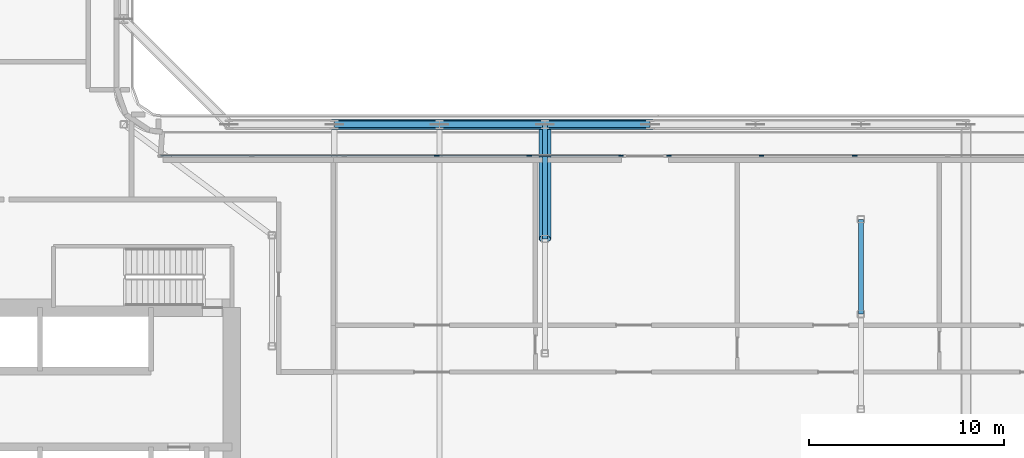
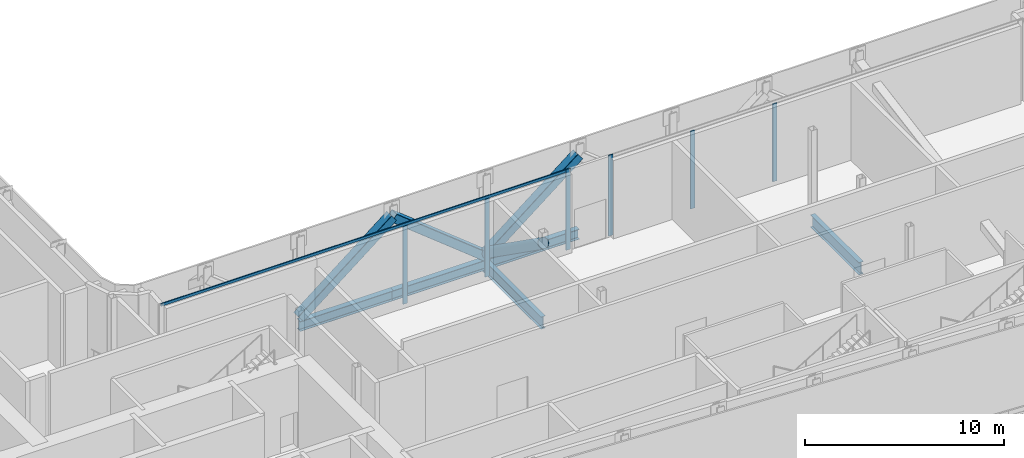
# One storey, part 7 of 30: 11 members, 5 beams, 2 elements without a shape of their own.
"""IFC4 building model written with IfcOpenShell, lengths in metres."""

from ifc_helpers import new_model, si_unit, direction, frame, origin, origin_2d, place, context, subcontext, project, spatial, rectangle, hollow_rectangle, hollow_circle, i_section, extrude, material, layer, layer_set, material_profile, profile_set, type_object, element, aggregate, save


model = new_model("IFC4")

# Units and contexts
model_context = context("Model", 3, precision=1e-05, world=origin(), true_north=direction((0.0, 1.0)))
body_context = subcontext(model_context, "Body", "Model", "MODEL_VIEW")
ifc_project = project(units=[si_unit("LENGTHUNIT", "METRE"), si_unit("AREAUNIT", "SQUARE_METRE"), si_unit("VOLUMEUNIT", "CUBIC_METRE"), si_unit("PLANEANGLEUNIT", "RADIAN"), si_unit("MASSUNIT", "GRAM", prefix="KILO")], contexts=[model_context])

# Site, building, storey
site_placement = place(None, origin())
site = spatial("IfcSite", under=ifc_project, at=site_placement, CompositionType="ELEMENT")
building_placement = place(site_placement, origin())
building = spatial("IfcBuilding", under=site, at=building_placement, Name="Kheshtan School and Residences Tower", CompositionType="ELEMENT")
storey_placement = place(building_placement, frame((0.0, 0.0, 89.0)))
storey = spatial("IfcBuildingStorey", under=building, at=storey_placement, Name="L20", CompositionType="ELEMENT", Elevation=89.0)

# Beams
ifc_material_1 = material(Name="Steel ASTM A992 Grade 50", Category="steel")
ifc_material_profile_1 = material_profile(ifc_material_1, i_section(OverallWidth=0.264892578125, OverallDepth=0.7529296875, WebThickness=0.01318359375, FlangeThickness=0.01708984375, FilletRadius=0.015380859375, at=origin_2d()), Name="W760x147")
ifc_profile_set_1 = profile_set([ifc_material_profile_1], Name="Steel ASTM A992 Grade 50")
beam_type_1 = type_object("IfcBeamType", Name="Beam FB7 W760x147 ASTM A992 Grade 50", PredefinedType="BEAM", material=ifc_profile_set_1)
beam_1_placement = place(storey_placement, frame((69.199951171875, 45.60009765625, -0.526611328125), z_axis=(0.0, -1.0, 0.0), x_axis=(1.0, 0.0, 0.0)))
element("IfcBeam", 1, at=beam_1_placement, inside=storey, type_object=beam_type_1, Name="Floor beam C064", PredefinedType="BEAM", context=body_context, shape_type="SweptSolid", body=[
    extrude(i_section(OverallWidth=0.264892578125, OverallDepth=0.7529296875, WebThickness=0.01318359375, FlangeThickness=0.01708984375, FilletRadius=0.015380859375, at=origin_2d()), origin(), (0.0, 0.0, 1.0), 5.8681640625),
])
beam_2_placement = place(storey_placement, frame((85.39990234375, 40.735107421875, -0.526611328125), z_axis=(0.0, -1.0, 0.0), x_axis=(1.0, 0.0, 0.0)))
element("IfcBeam", 2, at=beam_2_placement, inside=storey, type_object=beam_type_1, Name="Floor beam IC", PredefinedType="BEAM", context=body_context, shape_type="SweptSolid", body=[
    extrude(i_section(OverallWidth=0.264892578125, OverallDepth=0.7529296875, WebThickness=0.01318359375, FlangeThickness=0.01708984375, FilletRadius=0.015380859375, at=origin_2d()), origin(), (0.0, 0.0, 1.0), 4.864990234375),
])
ifc_material_profile_2 = material_profile(ifc_material_1, i_section(OverallWidth=0.324951171875, OverallDepth=0.615966796875, WebThickness=0.013916015625, FlangeThickness=0.021484375, FilletRadius=0.0185546875, at=origin_2d()), Name="W610x174")
ifc_profile_set_2 = profile_set([ifc_material_profile_2], Name="Steel ASTM A992 Grade 50")
beam_type_2 = type_object("IfcBeamType", Name="Beam SP5 W610x174 ASTM A992 Grade 50", PredefinedType="BEAM", material=ifc_profile_set_2)
beam_3_placement = place(storey_placement, frame((58.39990234375, 45.60009765625, -0.4580078125), z_axis=(1.0, 0.0, 0.0), x_axis=(0.0, 1.0, 0.0)))
element("IfcBeam", 3, at=beam_3_placement, inside=storey, type_object=beam_type_2, Name="Spandrel beam C062-C063", PredefinedType="BEAM", context=body_context, shape_type="SweptSolid", body=[
    extrude(i_section(OverallWidth=0.324951171875, OverallDepth=0.615966796875, WebThickness=0.013916015625, FlangeThickness=0.021484375, FilletRadius=0.0185546875, at=origin_2d()), origin(), (0.0, 0.0, 1.0), 5.400146484375),
])
beam_4_placement = place(storey_placement, frame((63.800048828125, 45.60009765625, -0.4580078125), z_axis=(1.0, 0.0, 0.0), x_axis=(0.0, 1.0, 0.0)))
element("IfcBeam", 4, at=beam_4_placement, inside=storey, type_object=beam_type_2, Name="Spandrel beam C063-C064", PredefinedType="BEAM", context=body_context, shape_type="SweptSolid", body=[
    extrude(i_section(OverallWidth=0.324951171875, OverallDepth=0.615966796875, WebThickness=0.013916015625, FlangeThickness=0.021484375, FilletRadius=0.0185546875, at=origin_2d()), origin(), (0.0, 0.0, 1.0), 5.39990234375),
])
beam_5_placement = place(storey_placement, frame((69.199951171875, 45.60009765625, -0.4580078125), z_axis=(1.0, 0.0, 0.0), x_axis=(0.0, 1.0, 0.0)))
element("IfcBeam", 5, at=beam_5_placement, inside=storey, type_object=beam_type_2, Name="Spandrel beam C064-C065", PredefinedType="BEAM", context=body_context, shape_type="SweptSolid", body=[
    extrude(i_section(OverallWidth=0.324951171875, OverallDepth=0.615966796875, WebThickness=0.013916015625, FlangeThickness=0.021484375, FilletRadius=0.0185546875, at=origin_2d()), origin(), (0.0, 0.0, 1.0), 5.400146484375),
])

# Curtain wall, members
ifc_material_2 = material(Name="Clear low-e glass in thermally broken aluminium frame", Category="aluminium")
ifc_layer = layer(ifc_material_2, 0.25)
ifc_layer_set = layer_set([ifc_layer], Name="Curtain wall CW-G")
curtain_wall_type = type_object("IfcCurtainWallType", Name="Curtain wall CW-G", PredefinedType="NOTDEFINED", material=ifc_layer_set)
curtain_wall_1_placement = place(storey_placement, origin())
curtain_wall_1 = element("IfcCurtainWall", 6, at=curtain_wall_1_placement, inside=storey, type_object=curtain_wall_type, Name="Curtain wall CWG5b", PredefinedType="NOTDEFINED")
ifc_material_3 = material(Name="Thermally broken aluminium, dark bronze anodised", Category="aluminium")
ifc_material_profile_3 = material_profile(ifc_material_3, rectangle(XDim=0.06005859375, YDim=0.25, at=origin_2d()), Name="CW-G mullion 60x250")
ifc_profile_set_3 = profile_set([ifc_material_profile_3], Name="Thermally broken aluminium, dark bronze anodised")
member_type_1 = type_object("IfcMemberType", Name="CW-G mullion 60x250", PredefinedType="MULLION", material=ifc_profile_set_3)
member_1_placement = place(storey_placement, frame((63.64990234375, 44.0, 0.0), z_axis=(0.0, 0.0, 1.0), x_axis=(0.0, 1.0, 0.0)))
member_1 = element("IfcMember", 7, at=member_1_placement, type_object=member_type_1, Name="CWG5b mullion 4", PredefinedType="MULLION", context=body_context, shape_type="SweptSolid", body=[
    extrude(rectangle(XDim=0.06005859375, YDim=0.25, at=origin_2d()), origin(), (0.0, 0.0, 1.0), 4.7900390625),
])
member_2_placement = place(storey_placement, frame((68.389892578125, 44.0, 0.0), z_axis=(0.0, 0.0, 1.0), x_axis=(0.0, 1.0, 0.0)))
member_2 = element("IfcMember", 8, at=member_2_placement, type_object=member_type_1, Name="CWG5b mullion 5", PredefinedType="MULLION", context=body_context, shape_type="SweptSolid", body=[
    extrude(rectangle(XDim=0.06005859375, YDim=0.25, at=origin_2d()), origin(), (0.0, 0.0, 1.0), 4.7900390625),
])
member_3_placement = place(storey_placement, frame((73.10009765625, 44.0, 0.0), z_axis=(0.0, 0.0, 1.0), x_axis=(0.0, 1.0, 0.0)))
member_3 = element("IfcMember", 9, at=member_3_placement, type_object=member_type_1, Name="CWG5b mullion 6", PredefinedType="MULLION", context=body_context, shape_type="SweptSolid", body=[
    extrude(rectangle(XDim=0.06005859375, YDim=0.25, at=origin_2d()), origin(), (0.0, 0.0, 1.0), 4.949951171875),
])

curtain_wall_2_placement = place(storey_placement, origin())
curtain_wall_2 = element("IfcCurtainWall", 10, at=curtain_wall_2_placement, inside=storey, type_object=curtain_wall_type, Name="Curtain wall CWG5c", PredefinedType="NOTDEFINED")
member_4_placement = place(storey_placement, frame((75.56005859375, 44.0, 0.0), z_axis=(0.0, 0.0, 1.0), x_axis=(0.0, 1.0, 0.0)))
member_4 = element("IfcMember", 11, at=member_4_placement, type_object=member_type_1, Name="CWG5c mullion 1", PredefinedType="MULLION", context=body_context, shape_type="SweptSolid", body=[
    extrude(rectangle(XDim=0.06005859375, YDim=0.25, at=origin_2d()), origin(), (0.0, 0.0, 1.0), 4.949951171875),
])
member_5_placement = place(storey_placement, frame((80.303955078125, 44.0, 0.0), z_axis=(0.0, 0.0, 1.0), x_axis=(0.0, 1.0, 0.0)))
member_5 = element("IfcMember", 12, at=member_5_placement, type_object=member_type_1, Name="CWG5c mullion 2", PredefinedType="MULLION", context=body_context, shape_type="SweptSolid", body=[
    extrude(rectangle(XDim=0.06005859375, YDim=0.25, at=origin_2d()), origin(), (0.0, 0.0, 1.0), 4.7900390625),
])
member_6_placement = place(storey_placement, frame((85.077880859375, 44.0, 0.0), z_axis=(0.0, 0.0, 1.0), x_axis=(0.0, 1.0, 0.0)))
member_6 = element("IfcMember", 13, at=member_6_placement, type_object=member_type_1, Name="CWG5c mullion 3", PredefinedType="MULLION", context=body_context, shape_type="SweptSolid", body=[
    extrude(rectangle(XDim=0.06005859375, YDim=0.25, at=origin_2d()), origin(), (0.0, 0.0, 1.0), 4.7900390625),
])
aggregate(curtain_wall_2, [member_4, member_5, member_6])

# Member
ifc_material_profile_4 = material_profile(ifc_material_3, rectangle(XDim=0.06005859375, YDim=0.159912109375, at=origin_2d()), Name="CW-G transom 60x160")
ifc_profile_set_4 = profile_set([ifc_material_profile_4], Name="Thermally broken aluminium, dark bronze anodised")
member_type_2 = type_object("IfcMemberType", Name="CW-G transom 60x160", PredefinedType="USERDEFINED", material=ifc_profile_set_4)
member_7_placement = place(storey_placement, frame((49.489990234375, 44.0, 4.8701171875), z_axis=(1.0, 0.0, 0.0), x_axis=(0.0, 1.0, 0.0)))
member_7 = element("IfcMember", 14, at=member_7_placement, type_object=member_type_2, Name="CWG5b transom 1", ObjectType="TRANSOM", PredefinedType="USERDEFINED", context=body_context, shape_type="SweptSolid", body=[
    extrude(rectangle(XDim=0.06005859375, YDim=0.159912109375, at=origin_2d()), origin(), (0.0, 0.0, 1.0), 23.580078125),
])

aggregate(curtain_wall_1, [member_1, member_2, member_3, member_7])

# Members
ifc_material_4 = material(Name="Steel ASTM A500 Grade C", Category="steel")
ifc_material_profile_5 = material_profile(ifc_material_4, hollow_rectangle(XDim=0.508056640625, YDim=0.508056640625, WallThickness=0.01904296875, InnerFilletRadius=0.01904296875, OuterFilletRadius=0.0380859375, at=origin_2d()), Name="HSS 508x508x19")
ifc_profile_set_5 = profile_set([ifc_material_profile_5], Name="Steel ASTM A500 Grade C")
member_type_3 = type_object("IfcMemberType", Name="Member BT2 HSS 508x508x19 ASTM A500 Grade C", PredefinedType="BRACE", material=ifc_profile_set_5)
member_8_placement = place(storey_placement, frame((58.39990234375, 45.60009765625, 0.050048828125), z_axis=(0.782508993189, 0.0, 0.622639282071), x_axis=(0.0, 1.0, 0.0)))
element("IfcMember", 15, at=member_8_placement, inside=storey, type_object=member_type_3, Name="Belt truss diagonal C062-C063", PredefinedType="BRACE", context=body_context, shape_type="SweptSolid", body=[
    extrude(hollow_rectangle(XDim=0.508056640625, YDim=0.508056640625, WallThickness=0.01904296875, InnerFilletRadius=0.01904296875, OuterFilletRadius=0.0380859375, at=origin_2d()), origin(), (0.0, 0.0, 1.0), 6.901123046875),
])
member_9_placement = place(storey_placement, frame((69.199951171875, 45.60009765625, 0.050048828125), z_axis=(-0.782495277586, 0.0, 0.622656518922), x_axis=(0.0, -1.0, 0.0)))
element("IfcMember", 16, at=member_9_placement, inside=storey, type_object=member_type_3, Name="Belt truss diagonal C063-C064", PredefinedType="BRACE", context=body_context, shape_type="SweptSolid", body=[
    extrude(hollow_rectangle(XDim=0.508056640625, YDim=0.508056640625, WallThickness=0.01904296875, InnerFilletRadius=0.01904296875, OuterFilletRadius=0.0380859375, at=origin_2d()), origin(), (0.0, 0.0, 1.0), 6.90087890625),
])
member_10_placement = place(storey_placement, frame((69.199951171875, 45.60009765625, 0.050048828125), z_axis=(0.782508993189, 0.0, 0.622639282071), x_axis=(0.0, 1.0, 0.0)))
element("IfcMember", 17, at=member_10_placement, inside=storey, type_object=member_type_3, Name="Belt truss diagonal C064-C065", PredefinedType="BRACE", context=body_context, shape_type="SweptSolid", body=[
    extrude(hollow_rectangle(XDim=0.508056640625, YDim=0.508056640625, WallThickness=0.01904296875, InnerFilletRadius=0.01904296875, OuterFilletRadius=0.0380859375, at=origin_2d()), origin(), (0.0, 0.0, 1.0), 6.901123046875),
])
ifc_material_profile_6 = material_profile(ifc_material_4, hollow_circle(Radius=0.3046875, WallThickness=0.01904296875, at=origin_2d()), Name="HSS 610x19")
ifc_profile_set_6 = profile_set([ifc_material_profile_6], Name="Steel ASTM A500 Grade C")
member_type_4 = type_object("IfcMemberType", Name="Member OR1 HSS 610x19 ASTM A500 Grade C", PredefinedType="BRACE", material=ifc_profile_set_6)
member_11_placement = place(storey_placement, frame((69.199951171875, 45.60009765625, 0.199951171875), z_axis=(0.0, -0.81665701352, 0.577123316344), x_axis=(1.0, 0.0, 0.0)))
element("IfcMember", 18, at=member_11_placement, inside=storey, type_object=member_type_4, Name="Outrigger arm 2", PredefinedType="BRACE", context=body_context, shape_type="SweptSolid", body=[
    extrude(hollow_circle(Radius=0.3046875, WallThickness=0.01904296875, at=origin_2d()), origin(), (0.0, 0.0, 1.0), 7.185546875),
])

save(model, "model.ifc")
